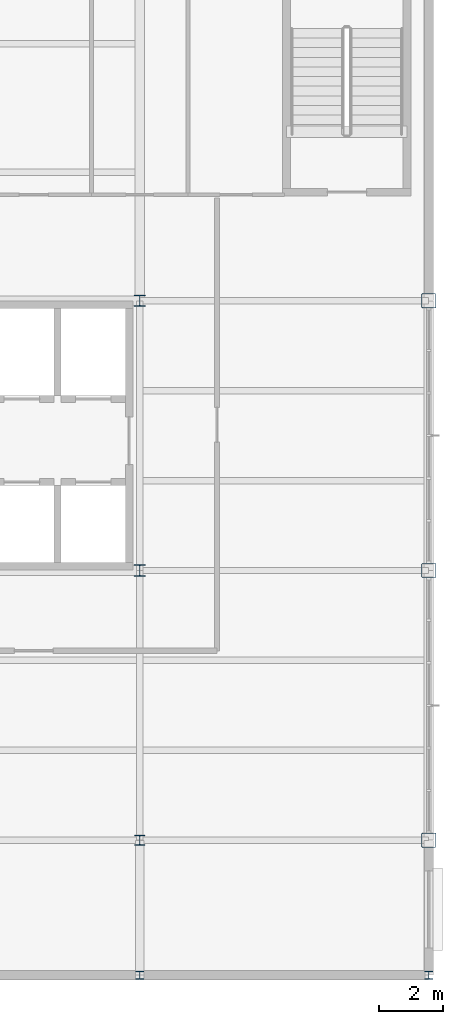
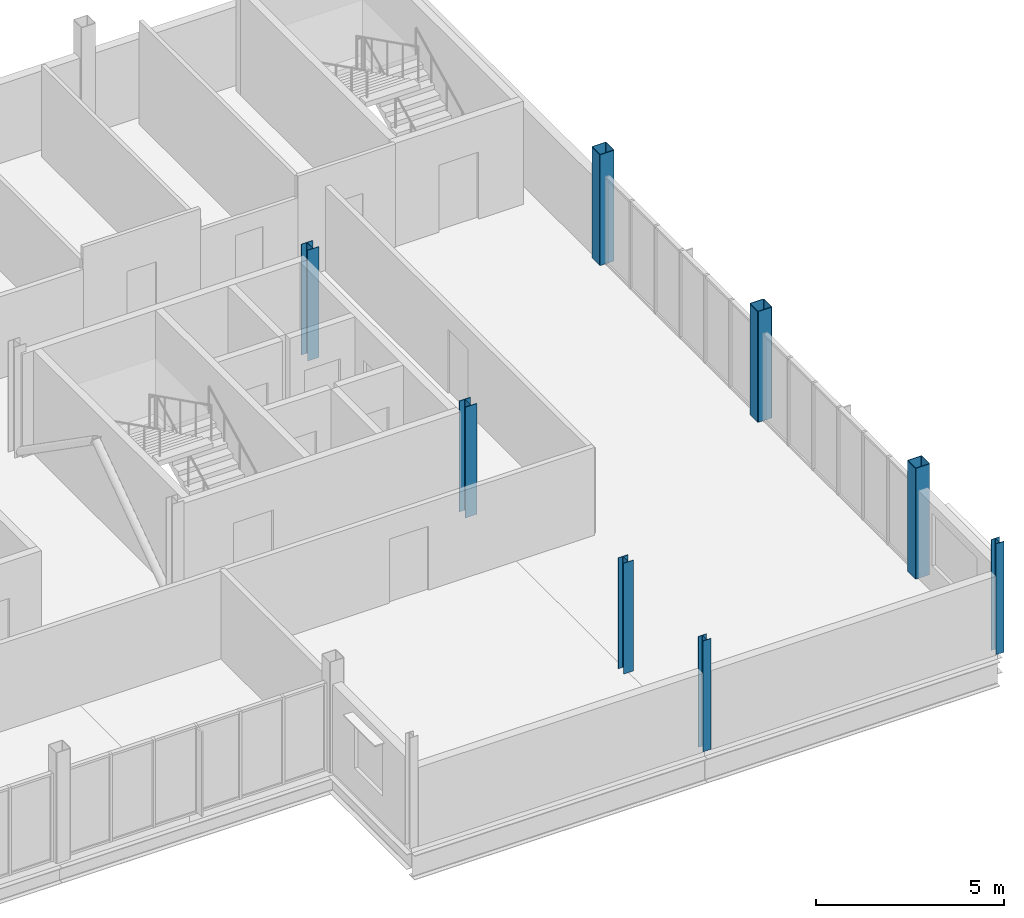
# One storey, part 2 of 16: 8 columns.
"""IFC4 building model written with IfcOpenShell, lengths in metres."""

from ifc_helpers import new_model, si_unit, direction, frame, origin, origin_2d, place, context, subcontext, project, spatial, hollow_rectangle, i_section, extrude, material, material_profile, profile_set, type_object, element, save


model = new_model("IFC4")

# Units and contexts
model_context = context("Model", 3, precision=1e-05, world=origin(), true_north=direction((0.0, 1.0)))
body_context = subcontext(model_context, "Body", "Model", "MODEL_VIEW")
ifc_project = project(units=[si_unit("LENGTHUNIT", "METRE"), si_unit("AREAUNIT", "SQUARE_METRE"), si_unit("VOLUMEUNIT", "CUBIC_METRE"), si_unit("PLANEANGLEUNIT", "RADIAN"), si_unit("MASSUNIT", "GRAM", prefix="KILO")], contexts=[model_context])

# Site, building, storey
site_placement = place(None, origin())
site = spatial("IfcSite", under=ifc_project, at=site_placement, CompositionType="ELEMENT")
building_placement = place(site_placement, origin())
building = spatial("IfcBuilding", under=site, at=building_placement, Name="Yukiwa Park Conservatory and Herbarium", CompositionType="ELEMENT")
storey_placement = place(building_placement, frame((0.0, 0.0, 43.199951171875)))
storey = spatial("IfcBuildingStorey", under=building, at=storey_placement, Name="L11", CompositionType="ELEMENT", Elevation=43.199951171875)

# Columns
ifc_material_1 = material(Name="Steel Q355D", Category="steel")
ifc_material_profile_1 = material_profile(ifc_material_1, i_section(OverallWidth=0.25, OverallDepth=0.25, WebThickness=0.009033203125, FlangeThickness=0.013916015625, FilletRadius=0.01611328125, at=origin_2d()), Name="HW 250x250x9x14")
ifc_profile_set_1 = profile_set([ifc_material_profile_1], Name="Steel Q355D")
column_type_1 = type_object("IfcColumnType", Name="COL-SB-HW250", PredefinedType="COLUMN", material=ifc_profile_set_1)
for number, where, z_axis, x_axis, name in (
    (1, (159.0, 82.199951171875, 0.0), (0.0, 0.0, 1.0), (1.0, 0.0, 0.0), "L11 column V5SB2-X1590-Y822"),
    (2, (168.0, 82.199951171875, 0.0), (0.0, 0.0, 1.0), (1.0, 0.0, 0.0), "L11 column V5SB2-X1680-Y822"),
):
    element("IfcColumn", number, at=place(storey_placement, frame(where, z_axis=z_axis, x_axis=x_axis)), inside=storey, type_object=column_type_1, Name=name, PredefinedType="COLUMN", context=body_context, shape_type="SweptSolid", body=[
        extrude(i_section(OverallWidth=0.25, OverallDepth=0.25, WebThickness=0.009033203125, FlangeThickness=0.013916015625, FilletRadius=0.01611328125, at=origin_2d()), origin(), (0.0, 0.0, 1.0), 3.60009765625),
    ])
ifc_material_2 = material(Name="Steel Q355D", Category="steel")
ifc_material_profile_2 = material_profile(ifc_material_2, hollow_rectangle(XDim=0.449951171875, YDim=0.449951171875, WallThickness=0.01806640625, InnerFilletRadius=0.01806640625, OuterFilletRadius=0.035888671875, at=origin_2d()), Name="BOX 450x450x18")
ifc_profile_set_2 = profile_set([ifc_material_profile_2], Name="Steel Q355D")
column_type_2 = type_object("IfcColumnType", Name="COL-TW-BOX450-EXT", PredefinedType="COLUMN", material=ifc_profile_set_2)
for number, where, z_axis, x_axis, name in (
    (3, (168.0, 86.39990234375, 0.0), (0.0, 0.0, 1.0), (1.0, 0.0, 0.0), "L11 column V5-X1680-Y864"),
    (4, (168.0, 94.800048828125, 0.0), (0.0, 0.0, 1.0), (1.0, 0.0, 0.0), "L11 column V5-X1680-Y948"),
    (5, (168.0, 103.199951171875, 0.0), (0.0, 0.0, 1.0), (1.0, 0.0, 0.0), "L11 column V5-X1680-Y1032"),
):
    element("IfcColumn", number, at=place(storey_placement, frame(where, z_axis=z_axis, x_axis=x_axis)), inside=storey, type_object=column_type_2, Name=name, PredefinedType="COLUMN", context=body_context, shape_type="SweptSolid", body=[
        extrude(hollow_rectangle(XDim=0.449951171875, YDim=0.449951171875, WallThickness=0.01806640625, InnerFilletRadius=0.01806640625, OuterFilletRadius=0.035888671875, at=origin_2d()), origin(), (0.0, 0.0, 1.0), 3.60009765625),
    ])
ifc_material_3 = material(Name="Steel Q355D", Category="steel")
ifc_material_profile_3 = material_profile(ifc_material_3, i_section(OverallWidth=0.300048828125, OverallDepth=0.300048828125, WebThickness=0.010009765625, FlangeThickness=0.014892578125, FilletRadius=0.01806640625, at=origin_2d()), Name="HW 300x300x10x15")
ifc_profile_set_3 = profile_set([ifc_material_profile_3], Name="Steel Q355D")
column_type_3 = type_object("IfcColumnType", Name="COL-TW-HW300", PredefinedType="COLUMN", material=ifc_profile_set_3)
column_placement = place(storey_placement, frame((159.0, 86.39990234375, 0.0), z_axis=(0.0, 0.0, 1.0), x_axis=(1.0, 0.0, 0.0)))
element("IfcColumn", 6, at=column_placement, inside=storey, type_object=column_type_3, Name="L11 column V5-X1590-Y864", PredefinedType="COLUMN", context=body_context, shape_type="SweptSolid", body=[
    extrude(i_section(OverallWidth=0.300048828125, OverallDepth=0.300048828125, WebThickness=0.010009765625, FlangeThickness=0.014892578125, FilletRadius=0.01806640625, at=origin_2d()), origin(), (0.0, 0.0, 1.0), 3.60009765625),
])
ifc_material_4 = material(Name="Steel Q355D", Category="steel")
ifc_material_profile_4 = material_profile(ifc_material_4, i_section(OverallWidth=0.347900390625, OverallDepth=0.343994140625, WebThickness=0.010009765625, FlangeThickness=0.01611328125, FilletRadius=0.02001953125, at=origin_2d()), Name="HW 344x348x10x16")
ifc_profile_set_4 = profile_set([ifc_material_profile_4], Name="Steel Q355D")
column_type_4 = type_object("IfcColumnType", Name="COL-TW-HW344", PredefinedType="COLUMN", material=ifc_profile_set_4)
for number, where, z_axis, x_axis, name in (
    (7, (159.0, 94.800048828125, 0.0), (0.0, 0.0, 1.0), (1.0, 0.0, 0.0), "L11 column V5-X1590-Y948"),
    (8, (159.0, 103.199951171875, 0.0), (0.0, 0.0, 1.0), (1.0, 0.0, 0.0), "L11 column V5-X1590-Y1032"),
):
    element("IfcColumn", number, at=place(storey_placement, frame(where, z_axis=z_axis, x_axis=x_axis)), inside=storey, type_object=column_type_4, Name=name, PredefinedType="COLUMN", context=body_context, shape_type="SweptSolid", body=[
        extrude(i_section(OverallWidth=0.347900390625, OverallDepth=0.343994140625, WebThickness=0.010009765625, FlangeThickness=0.01611328125, FilletRadius=0.02001953125, at=origin_2d()), origin(), (0.0, 0.0, 1.0), 3.60009765625),
    ])

save(model, "model.ifc")
